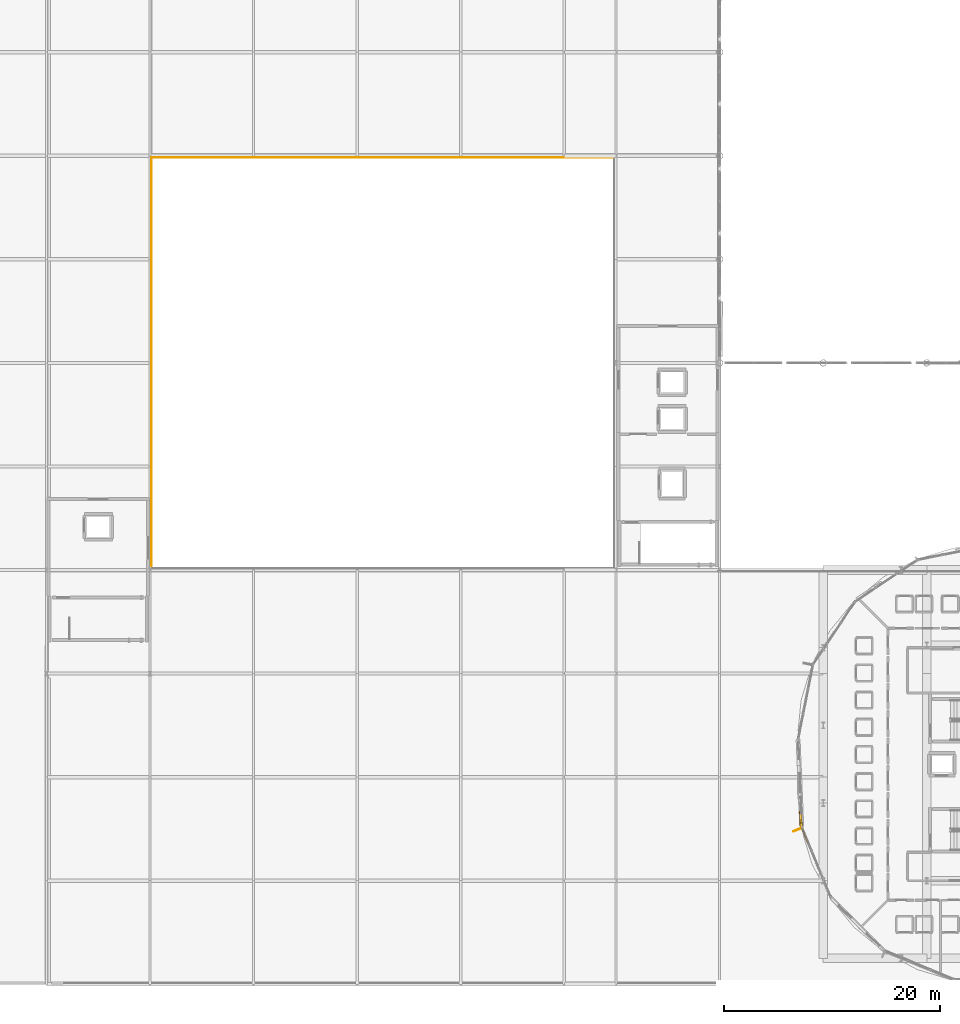
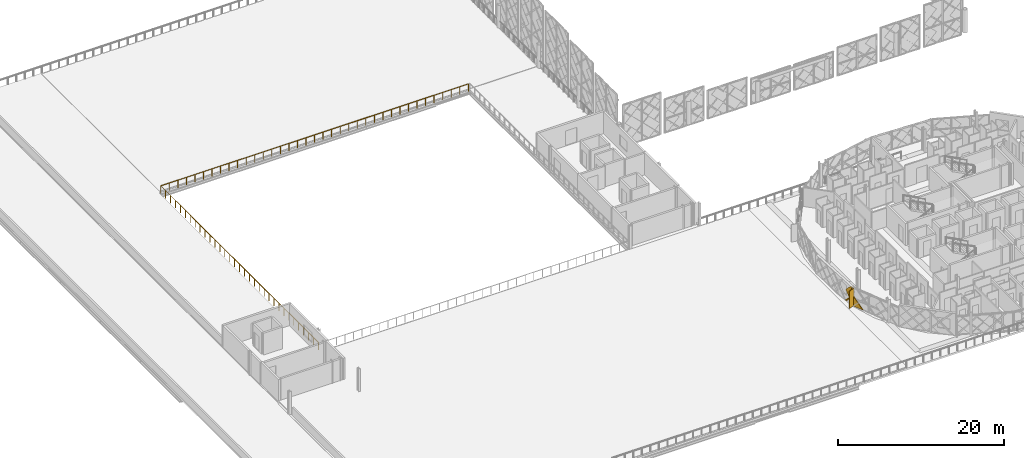
# One storey, part 40 of 53: 3 coverings, 1 railing, 1 shading device.
"""IFC4 building model written with IfcOpenShell, lengths in metres."""

import ifcopenshell
import ifcopenshell.guid

model = None  # the IFC model being written
_history = None  # IfcOwnerHistory: only IFC2X3 demands one
_inside = {}  # id of a spatial element -> (the spatial element, [elements in it])
_under = {}  # id of a project, library or spatial element -> (it, [spatial elements below it])
_declared = {}  # id of a project -> (the project, [libraries it declares])
_typed = {}  # id of a type object -> (the type object, [elements of that type])
_made_of = {}  # id of a material, layer set ... -> (it, [elements and type objects made of it])


def new_model(schema):
    """Start an empty IFC model of exactly this schema.

    Asked for "IFC4X3", IfcOpenShell would pick the latest addendum, in which some entities
    have other attributes; the version numbers below select the first issue.
    IFC2X3 requires an IfcOwnerHistory on every rooted entity: one is made here for all.
    """
    global model, _history
    if schema == "IFC4X3":
        model = ifcopenshell.file(schema_version=(4, 3, 0, 0))
    else:
        model = ifcopenshell.file(schema=schema)
    _inside.clear()
    _under.clear()
    _declared.clear()
    _typed.clear()
    _made_of.clear()
    _history = None
    if model.schema == "IFC2X3":
        org = make("IfcOrganization", Name="unknown")
        user = make(
            "IfcPersonAndOrganization",
            ThePerson=make("IfcPerson", FamilyName="unknown"),
            TheOrganization=org,
        )
        app = make(
            "IfcApplication",
            ApplicationDeveloper=org,
            Version="unknown",
            ApplicationFullName="unknown",
            ApplicationIdentifier="unknown",
        )
        _history = make(
            "IfcOwnerHistory",
            OwningUser=user,
            OwningApplication=app,
            ChangeAction="ADDED",
            CreationDate=0,
        )
    return model


def make(cls, **values):
    """One entity of the class cls with the attributes given. An attribute that is None is left unset."""
    return model.create_entity(
        cls, **{name: value for name, value in values.items() if value is not None}
    )


def rooted(cls, **values):
    """An entity with a GlobalId (a new one), such as an element, a storey or a relation."""
    return make(cls, GlobalId=ifcopenshell.guid.new(), OwnerHistory=_history, **values)


def si_unit(unit_type, name, prefix=None):
    """IfcSIUnit, for example si_unit("LENGTHUNIT", "METRE", prefix="MILLI")."""
    return make("IfcSIUnit", UnitType=unit_type, Prefix=prefix, Name=name)


def assignment(units):
    """IfcUnitAssignment: the units of a project."""
    return None if units is None else make("IfcUnitAssignment", Units=units)


def point(xyz):
    """IfcCartesianPoint."""
    return None if xyz is None else make("IfcCartesianPoint", Coordinates=xyz)


def direction(xyz):
    """IfcDirection."""
    return None if xyz is None else make("IfcDirection", DirectionRatios=xyz)


def frame(location, z_axis=None, x_axis=None):
    """IfcAxis2Placement3D, a coordinate frame: its origin and axes. An axis left out is left unset."""
    return make(
        "IfcAxis2Placement3D",
        Location=point(location),
        Axis=direction(z_axis),
        RefDirection=direction(x_axis),
    )


def frame_2d(location, x_axis=None):
    """IfcAxis2Placement2D, a coordinate frame in the plane: its origin and x axis."""
    return make(
        "IfcAxis2Placement2D", Location=point(location), RefDirection=direction(x_axis)
    )


def origin():
    """The frame at (0, 0, 0) with its axes left unset."""
    return frame((0.0, 0.0, 0.0))


def origin_2d():
    """The frame at (0, 0) in the plane with its x axis left unset."""
    return frame_2d((0.0, 0.0))


def place(relative_to, where):
    """IfcLocalPlacement: puts the frame where relative to a parent placement (None: the world)."""
    return make(
        "IfcLocalPlacement", PlacementRelTo=relative_to, RelativePlacement=where
    )


def context(
    kind, dimensions, precision=None, world=None, true_north=None, identifier=None
):
    """IfcGeometricRepresentationContext, for example the 3D "Model" context."""
    return make(
        "IfcGeometricRepresentationContext",
        ContextIdentifier=identifier,
        ContextType=kind,
        CoordinateSpaceDimension=dimensions,
        Precision=precision,
        WorldCoordinateSystem=world,
        TrueNorth=true_north,
    )


def subcontext(parent, identifier, kind, view, scale=None):
    """IfcGeometricRepresentationSubContext, for example "Body" below "Model"."""
    return make(
        "IfcGeometricRepresentationSubContext",
        ContextIdentifier=identifier,
        ContextType=kind,
        ParentContext=parent,
        TargetScale=scale,
        TargetView=view,
    )


def project(units=None, contexts=None):
    """IfcProject with its units and contexts."""
    return rooted(
        "IfcProject",
        Name="project",
        RepresentationContexts=contexts,
        UnitsInContext=assignment(units),
    )


def spatial(cls, under=None, at=None, **own):
    """A site, building, storey or space (cls), placed at a placement, below another one or the project."""
    s = rooted(cls, ObjectPlacement=at, **own)
    if under is not None:
        _under.setdefault(under.id(), (under, []))[1].append(s)
    return s


def polyline(points):
    """IfcPolyline through the points."""
    return make("IfcPolyline", Points=[point(p) for p in points])


def profile(cls, at=None, kind="AREA", **sizes):
    """A parametric profile (cls). Its sizes go by their IFC names, for example OverallWidth=200.0."""
    return make(cls, ProfileType=kind, Position=at, **sizes)


def rectangle(**sizes):
    """IfcRectangleProfileDef."""
    return profile("IfcRectangleProfileDef", **sizes)


def circle(**sizes):
    """IfcCircleProfileDef."""
    return profile("IfcCircleProfileDef", **sizes)


def outline(outer, holes=None, kind="AREA"):
    """IfcArbitraryClosedProfileDef: a profile drawn as a closed curve; with holes, ...WithVoids."""
    if holes is None:
        return make("IfcArbitraryClosedProfileDef", ProfileType=kind, OuterCurve=outer)
    return make(
        "IfcArbitraryProfileDefWithVoids",
        ProfileType=kind,
        OuterCurve=outer,
        InnerCurves=holes,
    )


def extrude(swept, where, along, depth):
    """IfcExtrudedAreaSolid: the profile swept, set in the frame where, extruded along a direction by depth."""
    return make(
        "IfcExtrudedAreaSolid",
        SweptArea=swept,
        Position=where,
        ExtrudedDirection=direction(along),
        Depth=depth,
    )


def shape(context_of_items, identifier, shape_type, items):
    """IfcShapeRepresentation: the items that make up one representation, for example the "Body"."""
    return make(
        "IfcShapeRepresentation",
        ContextOfItems=context_of_items,
        RepresentationIdentifier=identifier,
        RepresentationType=shape_type,
        Items=items,
    )


def material(Name=None, Category=None):
    """IfcMaterial."""
    return make("IfcMaterial", Name=Name, Category=Category)


def layer(
    of_material, thickness, ventilated=None, Name=None, Category=None, Priority=None
):
    """IfcMaterialLayer: one layer of a wall or slab, of a material (None: an air gap)."""
    return make(
        "IfcMaterialLayer",
        Material=of_material,
        LayerThickness=thickness,
        IsVentilated=ventilated,
        Name=Name,
        Category=Category,
        Priority=Priority,
    )


def layer_set(layers, Name=None):
    """IfcMaterialLayerSet."""
    return make("IfcMaterialLayerSet", MaterialLayers=layers, LayerSetName=Name)


def made_of(thing, what):
    """Note that an element or type object is made of a material, layer set ...; save() writes the relation."""
    if what is not None:
        _made_of.setdefault(what.id(), (what, []))[1].append(thing)
    return thing


def type_object(cls, material=None, **own):
    """A type object (cls), such as IfcWallType, which elements share."""
    return made_of(rooted(cls, **own), material)


def element(
    cls,
    number,
    at=None,
    inside=None,
    cuts=None,
    type_object=None,
    material=None,
    context=None,
    identifier="Body",
    shape_type=None,
    held_by="IfcProductDefinitionShape",
    body=None,
    shapes=None,
    **own,
):
    """One element of the class cls, such as IfcWall. Its Tag is "e" and its number.

    at: its placement. inside: the storey or other place that contains it. cuts: it is an
    opening in that element (IfcRelVoidsElement). A single representation is given by context,
    identifier, shape_type and body (its items); several are given by shapes. held_by: the class
    of the entity that holds the representations. save() writes the other relations.
    """
    e = rooted(cls, Tag="e%d" % number, ObjectPlacement=at, **own)
    if body is not None:
        shapes = [shape(context, identifier, shape_type, body)]
    if shapes is not None:
        e.Representation = make(held_by, Representations=shapes)
    if inside is not None:
        _inside.setdefault(inside.id(), (inside, []))[1].append(e)
    if cuts is not None:
        rooted(
            "IfcRelVoidsElement", RelatingBuildingElement=cuts, RelatedOpeningElement=e
        )
    if type_object is not None:
        _typed.setdefault(type_object.id(), (type_object, []))[1].append(e)
    return made_of(e, material)


def aggregate(whole, parts):
    """IfcRelAggregates: a whole, such as a stair, and the parts it consists of."""
    return rooted("IfcRelAggregates", RelatingObject=whole, RelatedObjects=parts)


def save(model, path):
    """Write the relations noted so far, then the file.

    IfcRelAggregates (storeys below a building ...), IfcRelContainedInSpatialStructure (elements
    in a storey), IfcRelDefinesByType, IfcRelAssociatesMaterial and IfcRelDeclares: one each for
    every whole, place, type object, material and project.
    """
    for whole, parts in _under.values():
        aggregate(whole, parts)
    for where, things in _inside.values():
        rooted(
            "IfcRelContainedInSpatialStructure",
            RelatedElements=things,
            RelatingStructure=where,
        )
    for kind, things in _typed.values():
        rooted("IfcRelDefinesByType", RelatedObjects=things, RelatingType=kind)
    for what, things in _made_of.values():
        rooted("IfcRelAssociatesMaterial", RelatedObjects=things, RelatingMaterial=what)
    for by, libraries in _declared.values():
        rooted("IfcRelDeclares", RelatingContext=by, RelatedDefinitions=libraries)
    model.write(path)


model = new_model("IFC4")

# Units and contexts
model_context = context("Model", 3, precision=1e-05, world=origin(), true_north=direction((0.0, 1.0)))
body_context = subcontext(model_context, "Body", "Model", "MODEL_VIEW")
ifc_project = project(units=[si_unit("LENGTHUNIT", "METRE"), si_unit("AREAUNIT", "SQUARE_METRE"), si_unit("VOLUMEUNIT", "CUBIC_METRE"), si_unit("PLANEANGLEUNIT", "RADIAN"), si_unit("MASSUNIT", "GRAM", prefix="KILO")], contexts=[model_context])

# Site, building, storey
site_placement = place(None, origin())
site = spatial("IfcSite", under=ifc_project, at=site_placement, CompositionType="ELEMENT")
building_placement = place(site_placement, origin())
building = spatial("IfcBuilding", under=site, at=building_placement, Name="Zevrakil Square Congress Hotel", CompositionType="ELEMENT")
storey_placement = place(building_placement, frame((0.0, 0.0, 14.699951171875)))
storey = spatial("IfcBuildingStorey", under=building, at=storey_placement, Name="L04", CompositionType="ELEMENT", Elevation=14.699951171875)

# Coverings
ifc_material_1 = material(Name="Architectural White Fibre-C GRC", Category="concrete")
ifc_layer_1 = layer(ifc_material_1, 0.06494140625)
ifc_layer_set_1 = layer_set([ifc_layer_1], Name="Architectural White Fibre-C GRC")
covering_type_1 = type_object("IfcCoveringType", Name="COV-DIA-WHITE", PredefinedType="CLADDING", material=ifc_layer_set_1)
covering_1_placement = place(storey_placement, frame((124.9970703125, 23.1435546875, 1.679931640625), z_axis=(-0.999121186023, -0.041911626429, 0.000520779078), x_axis=(0.030002651637, -0.706439359615, 0.707137378507)))
element("IfcCovering", 1, at=covering_1_placement, inside=storey, type_object=covering_type_1, Name="L04 45-degree white GRC diamond facade cassette 2292", PredefinedType="CLADDING", context=body_context, shape_type="SweptSolid", body=[
    extrude(outline(polyline([(0.0, 0.0), (1.400342272574513, 0.0), (1.626509085947669, -0.2261864329212736), (2.196285972189127e-05, -1.8524600076400506), (0.0, 0.0)])), origin(), (0.0, 0.0, -1.0), 0.219970703125),
])
covering_2_placement = place(storey_placement, frame((125.72509765625, 20.310791015625, 0.080078125), z_axis=(-0.923894304185, -0.382647378607, 0.000546204379), x_axis=(-0.382647435687, 0.923894442002, 0.0)))
element("IfcCovering", 2, at=covering_2_placement, inside=storey, type_object=covering_type_1, Name="L04 45-degree white GRC diamond facade cassette 2299", PredefinedType="CLADDING", context=body_context, shape_type="SweptSolid", body=[
    extrude(outline(polyline([(0.0, 0.0), (1.4100467713356626, -5.421010862427522e-20), (1.4099920721498573, -1.4099123196910894), (0.0, 0.0)])), origin(), (0.0, 0.0, -1.0), 0.1201171875),
])
ifc_material_2 = material(Name="Anodised Champagne Aluminium", Category="aluminium")
ifc_layer_2 = layer(ifc_material_2, 0.0849609375)
ifc_layer_set_2 = layer_set([ifc_layer_2], Name="Anodised Champagne Aluminium")
covering_type_2 = type_object("IfcCoveringType", Name="COV-DIAGRID-45", PredefinedType="MOLDING", material=ifc_layer_set_2)
covering_3_placement = place(storey_placement, frame((124.97509765625, 23.04638671875, 0.080078125), z_axis=(-0.999117931839, -0.041988757069, 0.000550052462), x_axis=(-0.041988763255, 0.999118082991, 3.02646e-07)))
element("IfcCovering", 3, at=covering_3_placement, inside=storey, type_object=covering_type_2, Name="L04 45-degree aluminium diagrid rib 2296", PredefinedType="MOLDING", context=body_context, shape_type="SweptSolid", body=[
    extrude(outline(polyline([(0.0, 0.0), (0.21209621374844595, -8.470329472543003e-22), (-1.2139937710827073, -1.4260259737631873), (-1.2139938352915685, -1.2138678027332495), (0.0, 0.0)])), origin(), (0.0, 0.0, -1.0), 0.2451171875),
])

# Railing
ifc_material_3 = material(Name="Steel S355", Category="steel")
railing_type = type_object("IfcRailingType", Name="RLG-TERR-1100", PredefinedType="BALUSTRADE", material=ifc_material_3)
railing_placement = place(storey_placement, frame((107.64990234375, 83.85009765625, 0.0)))
element("IfcRailing", 4, at=railing_placement, inside=storey, type_object=railing_type, Name="L04 terrace and void safety balustrade guard 37", PredefinedType="BALUSTRADE", context=body_context, shape_type="SweptSolid", body=[
    extrude(circle(Radius=0.02392578125, at=origin_2d()), frame((0.0, 0.0, 1.076171875), z_axis=(-1.0, 0.0, 0.0), x_axis=(0.0, -1.0, 0.0)), (0.0, 0.0, 1.0), 42.699951171875),
    extrude(circle(Radius=0.02392578125, at=origin_2d()), frame((-42.699951171875, 0.0, 1.076171875), z_axis=(0.0, -1.0, 0.0), x_axis=(1.0, 0.0, 0.0)), (0.0, 0.0, 1.0), 37.900146484375),
    extrude(circle(Radius=0.02099609375, at=origin_2d()), origin(), (0.0, 0.0, 1.0), 1.052001953125),
    extrude(circle(Radius=0.02099609375, at=origin_2d()), frame((-1.18603515625, 0.0, 0.0)), (0.0, 0.0, 1.0), 1.052001953125),
    extrude(circle(Radius=0.02099609375, at=origin_2d()), frame((-2.372314453125, 0.0, 0.0)), (0.0, 0.0, 1.0), 1.052001953125),
    extrude(circle(Radius=0.02099609375, at=origin_2d()), frame((-3.558349609375, 0.0, 0.0)), (0.0, 0.0, 1.0), 1.052001953125),
    extrude(circle(Radius=0.02099609375, at=origin_2d()), frame((-4.744384765625, 0.0, 0.0)), (0.0, 0.0, 1.0), 1.052001953125),
    extrude(circle(Radius=0.02099609375, at=origin_2d()), frame((-5.9306640625, 0.0, 0.0)), (0.0, 0.0, 1.0), 1.052001953125),
    extrude(circle(Radius=0.02099609375, at=origin_2d()), frame((-7.11669921875, 0.0, 0.0)), (0.0, 0.0, 1.0), 1.052001953125),
    extrude(circle(Radius=0.02099609375, at=origin_2d()), frame((-8.302734375, 0.0, 0.0)), (0.0, 0.0, 1.0), 1.052001953125),
    extrude(circle(Radius=0.02099609375, at=origin_2d()), frame((-9.48876953125, 0.0, 0.0)), (0.0, 0.0, 1.0), 1.052001953125),
    extrude(circle(Radius=0.02099609375, at=origin_2d()), frame((-10.675048828125, 0.0, 0.0)), (0.0, 0.0, 1.0), 1.052001953125),
    extrude(circle(Radius=0.02099609375, at=origin_2d()), frame((-11.861083984375, 0.0, 0.0)), (0.0, 0.0, 1.0), 1.052001953125),
    extrude(circle(Radius=0.02099609375, at=origin_2d()), frame((-13.047119140625, 0.0, 0.0)), (0.0, 0.0, 1.0), 1.052001953125),
    extrude(circle(Radius=0.02099609375, at=origin_2d()), frame((-14.2333984375, 0.0, 0.0)), (0.0, 0.0, 1.0), 1.052001953125),
    extrude(circle(Radius=0.02099609375, at=origin_2d()), frame((-15.41943359375, 0.0, 0.0)), (0.0, 0.0, 1.0), 1.052001953125),
    extrude(circle(Radius=0.02099609375, at=origin_2d()), frame((-16.60546875, 0.0, 0.0)), (0.0, 0.0, 1.0), 1.052001953125),
    extrude(circle(Radius=0.02099609375, at=origin_2d()), frame((-17.791748046875, 0.0, 0.0)), (0.0, 0.0, 1.0), 1.052001953125),
    extrude(circle(Radius=0.02099609375, at=origin_2d()), frame((-18.977783203125, 0.0, 0.0)), (0.0, 0.0, 1.0), 1.052001953125),
    extrude(circle(Radius=0.02099609375, at=origin_2d()), frame((-20.163818359375, 0.0, 0.0)), (0.0, 0.0, 1.0), 1.052001953125),
    extrude(circle(Radius=0.02099609375, at=origin_2d()), frame((-21.35009765625, 0.0, 0.0)), (0.0, 0.0, 1.0), 1.052001953125),
    extrude(circle(Radius=0.02099609375, at=origin_2d()), frame((-22.5361328125, 0.0, 0.0)), (0.0, 0.0, 1.0), 1.052001953125),
    extrude(circle(Radius=0.02099609375, at=origin_2d()), frame((-23.72216796875, 0.0, 0.0)), (0.0, 0.0, 1.0), 1.052001953125),
    extrude(circle(Radius=0.02099609375, at=origin_2d()), frame((-24.908203125, 0.0, 0.0)), (0.0, 0.0, 1.0), 1.052001953125),
    extrude(circle(Radius=0.02099609375, at=origin_2d()), frame((-26.094482421875, 0.0, 0.0)), (0.0, 0.0, 1.0), 1.052001953125),
    extrude(circle(Radius=0.02099609375, at=origin_2d()), frame((-27.280517578125, 0.0, 0.0)), (0.0, 0.0, 1.0), 1.052001953125),
    extrude(circle(Radius=0.02099609375, at=origin_2d()), frame((-28.466552734375, 0.0, 0.0)), (0.0, 0.0, 1.0), 1.052001953125),
    extrude(circle(Radius=0.02099609375, at=origin_2d()), frame((-29.65283203125, 0.0, 0.0)), (0.0, 0.0, 1.0), 1.052001953125),
    extrude(circle(Radius=0.02099609375, at=origin_2d()), frame((-30.8388671875, 0.0, 0.0)), (0.0, 0.0, 1.0), 1.052001953125),
    extrude(circle(Radius=0.02099609375, at=origin_2d()), frame((-32.02490234375, 0.0, 0.0)), (0.0, 0.0, 1.0), 1.052001953125),
    extrude(circle(Radius=0.02099609375, at=origin_2d()), frame((-33.211181640625, 0.0, 0.0)), (0.0, 0.0, 1.0), 1.052001953125),
    extrude(circle(Radius=0.02099609375, at=origin_2d()), frame((-34.397216796875, 0.0, 0.0)), (0.0, 0.0, 1.0), 1.052001953125),
    extrude(circle(Radius=0.02099609375, at=origin_2d()), frame((-35.583251953125, 0.0, 0.0)), (0.0, 0.0, 1.0), 1.052001953125),
    extrude(circle(Radius=0.02099609375, at=origin_2d()), frame((-36.769287109375, 0.0, 0.0)), (0.0, 0.0, 1.0), 1.052001953125),
    extrude(circle(Radius=0.02099609375, at=origin_2d()), frame((-37.95556640625, 0.0, 0.0)), (0.0, 0.0, 1.0), 1.052001953125),
    extrude(circle(Radius=0.02099609375, at=origin_2d()), frame((-39.1416015625, 0.0, 0.0)), (0.0, 0.0, 1.0), 1.052001953125),
    extrude(circle(Radius=0.02099609375, at=origin_2d()), frame((-40.32763671875, 0.0, 0.0)), (0.0, 0.0, 1.0), 1.052001953125),
    extrude(circle(Radius=0.02099609375, at=origin_2d()), frame((-41.513916015625, 0.0, 0.0)), (0.0, 0.0, 1.0), 1.052001953125),
    extrude(circle(Radius=0.02099609375, at=origin_2d()), frame((-42.699951171875, 0.0, 0.0)), (0.0, 0.0, 1.0), 1.052001953125),
    extrude(circle(Radius=0.02099609375, at=origin_2d()), frame((-42.699951171875, -1.184326171875, 0.0)), (0.0, 0.0, 1.0), 1.052001953125),
    extrude(circle(Radius=0.02099609375, at=origin_2d()), frame((-42.699951171875, -2.36865234375, 0.0)), (0.0, 0.0, 1.0), 1.052001953125),
    extrude(circle(Radius=0.02099609375, at=origin_2d()), frame((-42.699951171875, -3.55322265625, 0.0)), (0.0, 0.0, 1.0), 1.052001953125),
    extrude(circle(Radius=0.02099609375, at=origin_2d()), frame((-42.699951171875, -4.737548828125, 0.0)), (0.0, 0.0, 1.0), 1.052001953125),
    extrude(circle(Radius=0.02099609375, at=origin_2d()), frame((-42.699951171875, -5.921875, 0.0)), (0.0, 0.0, 1.0), 1.052001953125),
    extrude(circle(Radius=0.02099609375, at=origin_2d()), frame((-42.699951171875, -7.106201171875, 0.0)), (0.0, 0.0, 1.0), 1.052001953125),
    extrude(circle(Radius=0.02099609375, at=origin_2d()), frame((-42.699951171875, -8.290771484375, 0.0)), (0.0, 0.0, 1.0), 1.052001953125),
    extrude(circle(Radius=0.02099609375, at=origin_2d()), frame((-42.699951171875, -9.47509765625, 0.0)), (0.0, 0.0, 1.0), 1.052001953125),
    extrude(circle(Radius=0.02099609375, at=origin_2d()), frame((-42.699951171875, -10.659423828125, 0.0)), (0.0, 0.0, 1.0), 1.052001953125),
    extrude(circle(Radius=0.02099609375, at=origin_2d()), frame((-42.699951171875, -11.84375, 0.0)), (0.0, 0.0, 1.0), 1.052001953125),
    extrude(circle(Radius=0.02099609375, at=origin_2d()), frame((-42.699951171875, -13.028076171875, 0.0)), (0.0, 0.0, 1.0), 1.052001953125),
    extrude(circle(Radius=0.02099609375, at=origin_2d()), frame((-42.699951171875, -14.212646484375, 0.0)), (0.0, 0.0, 1.0), 1.052001953125),
    extrude(circle(Radius=0.02099609375, at=origin_2d()), frame((-42.699951171875, -15.39697265625, 0.0)), (0.0, 0.0, 1.0), 1.052001953125),
    extrude(circle(Radius=0.02099609375, at=origin_2d()), frame((-42.699951171875, -16.581298828125, 0.0)), (0.0, 0.0, 1.0), 1.052001953125),
    extrude(circle(Radius=0.02099609375, at=origin_2d()), frame((-42.699951171875, -17.765625, 0.0)), (0.0, 0.0, 1.0), 1.052001953125),
    extrude(circle(Radius=0.02099609375, at=origin_2d()), frame((-42.699951171875, -18.9501953125, 0.0)), (0.0, 0.0, 1.0), 1.052001953125),
    extrude(circle(Radius=0.02099609375, at=origin_2d()), frame((-42.699951171875, -20.134521484375, 0.0)), (0.0, 0.0, 1.0), 1.052001953125),
    extrude(circle(Radius=0.02099609375, at=origin_2d()), frame((-42.699951171875, -21.31884765625, 0.0)), (0.0, 0.0, 1.0), 1.052001953125),
    extrude(circle(Radius=0.02099609375, at=origin_2d()), frame((-42.699951171875, -22.503173828125, 0.0)), (0.0, 0.0, 1.0), 1.052001953125),
    extrude(circle(Radius=0.02099609375, at=origin_2d()), frame((-42.699951171875, -23.6875, 0.0)), (0.0, 0.0, 1.0), 1.052001953125),
    extrude(circle(Radius=0.02099609375, at=origin_2d()), frame((-42.699951171875, -24.8720703125, 0.0)), (0.0, 0.0, 1.0), 1.052001953125),
    extrude(circle(Radius=0.02099609375, at=origin_2d()), frame((-42.699951171875, -26.056396484375, 0.0)), (0.0, 0.0, 1.0), 1.052001953125),
    extrude(circle(Radius=0.02099609375, at=origin_2d()), frame((-42.699951171875, -27.24072265625, 0.0)), (0.0, 0.0, 1.0), 1.052001953125),
    extrude(circle(Radius=0.02099609375, at=origin_2d()), frame((-42.699951171875, -28.425048828125, 0.0)), (0.0, 0.0, 1.0), 1.052001953125),
    extrude(circle(Radius=0.02099609375, at=origin_2d()), frame((-42.699951171875, -29.609375, 0.0)), (0.0, 0.0, 1.0), 1.052001953125),
    extrude(circle(Radius=0.02099609375, at=origin_2d()), frame((-42.699951171875, -30.7939453125, 0.0)), (0.0, 0.0, 1.0), 1.052001953125),
    extrude(circle(Radius=0.02099609375, at=origin_2d()), frame((-42.699951171875, -31.978271484375, 0.0)), (0.0, 0.0, 1.0), 1.052001953125),
    extrude(circle(Radius=0.02099609375, at=origin_2d()), frame((-42.699951171875, -33.16259765625, 0.0)), (0.0, 0.0, 1.0), 1.052001953125),
    extrude(circle(Radius=0.02099609375, at=origin_2d()), frame((-42.699951171875, -34.346923828125, 0.0)), (0.0, 0.0, 1.0), 1.052001953125),
    extrude(circle(Radius=0.02099609375, at=origin_2d()), frame((-42.699951171875, -35.531494140625, 0.0)), (0.0, 0.0, 1.0), 1.052001953125),
    extrude(circle(Radius=0.02099609375, at=origin_2d()), frame((-42.699951171875, -36.7158203125, 0.0)), (0.0, 0.0, 1.0), 1.052001953125),
    extrude(circle(Radius=0.02099609375, at=origin_2d()), frame((-42.699951171875, -37.900146484375, 0.0)), (0.0, 0.0, 1.0), 1.052001953125),
])

# Shading device
ifc_material_4 = material(Name="Aluminium Anodised Bronze", Category="aluminium")
shading_device_type = type_object("IfcShadingDeviceType", Name="SHD-FIN-85", PredefinedType="USERDEFINED", material=ifc_material_4)
shading_device_placement = place(storey_placement, frame((124.839111328125, 21.534912109375, 0.10009765625), z_axis=(0.0, 0.0, 1.0), x_axis=(-0.923879532511, -0.382683432365, 0.0)))
element("IfcShadingDevice", 5, at=shading_device_placement, inside=storey, type_object=shading_device_type, Name="L04 aluminium solar shading fin 126", ObjectType="SOLAR FIN", PredefinedType="USERDEFINED", context=body_context, shape_type="SweptSolid", body=[
    extrude(rectangle(XDim=0.85009765625, YDim=0.080078125, at=origin_2d()), origin(), (0.0, 0.0, 1.0), 2.56005859375),
])

save(model, "model.ifc")
